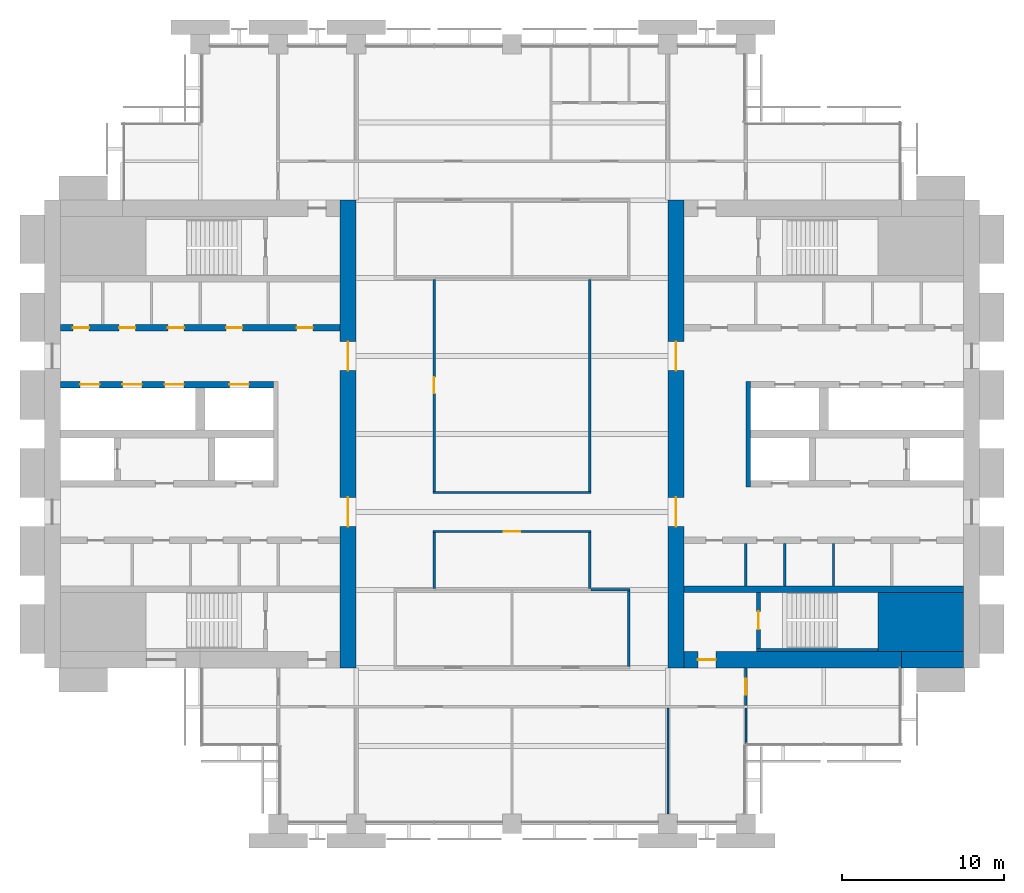
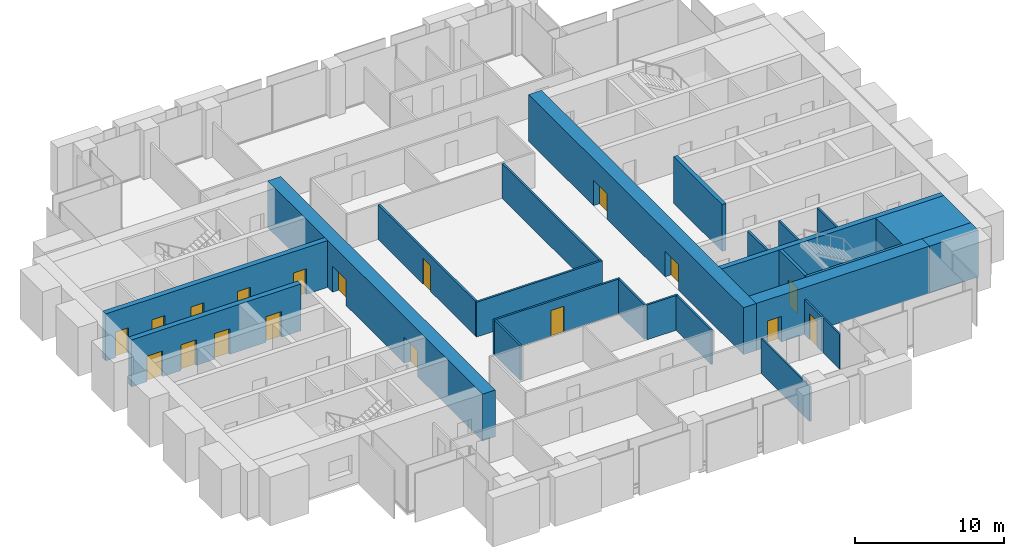
# One storey, part 10 of 14: 25 walls, 18 doors, 18 openings.
"""IFC4 building model written with IfcOpenShell, lengths in metres."""

from ifc_helpers import new_model, si_unit, direction, frame, frame_2d, origin, place, context, subcontext, project, spatial, rectangle, extrude, material, layer, layer_set, type_object, element, fill, save


model = new_model("IFC4")

# Units and contexts
model_context = context("Model", 3, precision=1e-05, world=origin(), true_north=direction((0.0, 1.0)))
body_context = subcontext(model_context, "Body", "Model", "MODEL_VIEW")
ifc_project = project(units=[si_unit("LENGTHUNIT", "METRE"), si_unit("AREAUNIT", "SQUARE_METRE"), si_unit("VOLUMEUNIT", "CUBIC_METRE"), si_unit("PLANEANGLEUNIT", "RADIAN"), si_unit("MASSUNIT", "GRAM", prefix="KILO")], contexts=[model_context])

# Site, building, storey
site_placement = place(None, origin())
site = spatial("IfcSite", under=ifc_project, at=site_placement, CompositionType="ELEMENT")
building_placement = place(site_placement, origin())
building = spatial("IfcBuilding", under=site, at=building_placement, Name="Baori Bourse Tower", CompositionType="ELEMENT")
storey_placement = place(building_placement, frame((0.0, 0.0, 112.10009765625)))
storey = spatial("IfcBuildingStorey", under=building, at=storey_placement, Name="L23", CompositionType="ELEMENT", Elevation=112.10009765625)

# Walls
ifc_material_1 = material(Name="Concrete f'c 60 MPa", Category="concrete")
wall_type_1 = type_object("IfcWallType", Name="Core corner block f'c 60", PredefinedType="SHEAR", material=ifc_material_1)
wall_1_placement = place(storey_placement, frame((51.35009765625, 12.425048828125, 0.0), z_axis=(0.0, 0.0, 1.0), x_axis=(1.0, 0.0, 0.0)))
element("IfcWall", 1, at=wall_1_placement, inside=storey, type_object=wall_type_1, Name="Core wall E05", PredefinedType="SHEAR", context=body_context, shape_type="SweptSolid", body=[
    extrude(rectangle(XDim=5.25, YDim=3.64990234375, at=frame_2d((2.625, 0.0))), origin(), (0.0, 0.0, 1.0), 3.83984375),
])
ifc_material_2 = material(Name="Blockwork partition", Category="masonry")
ifc_layer_1 = layer(ifc_material_2, 0.14990234375)
ifc_layer_set_1 = layer_set([ifc_layer_1], Name="Core partition 150")
wall_type_2 = type_object("IfcWallType", Name="Core partition 150", PredefinedType="PARTITIONING", material=ifc_layer_set_1)
for number, where, z_axis, x_axis, name in (
    (2, (48.60009765625, 14.64990234375, 0.0), (0.0, 0.0, 1.0), (0.0, 1.0, 0.0), "Partition wall E10"),
    (3, (45.60009765625, 14.64990234375, 0.0), (0.0, 0.0, 1.0), (0.0, 1.0, 0.0), "Partition wall E11"),
    (4, (43.199951171875, 14.64990234375, 0.0), (0.0, 0.0, 1.0), (0.0, 1.0, 0.0), "Partition wall E12"),
):
    element("IfcWall", number, at=place(storey_placement, frame(where, z_axis=z_axis, x_axis=x_axis)), inside=storey, type_object=wall_type_2, Name=name, PredefinedType="PARTITIONING", context=body_context, shape_type="SweptSolid", body=[
        extrude(rectangle(XDim=2.60009765625, YDim=0.14990234375, at=frame_2d((1.300048828125, 0.0))), origin(), (0.0, 0.0, 1.0), 3.83984375),
    ])

# Wall, openings, doors
ifc_material_3 = material(Name="Concrete f'c 60 MPa", Category="concrete")
ifc_layer_2 = layer(ifc_material_3, 1.0)
ifc_layer_set_2 = layer_set([ifc_layer_2], Name="Core wall 1000 f'c 60")
wall_type_3 = type_object("IfcWallType", Name="Core wall 1000 f'c 60", PredefinedType="SHEAR", material=ifc_layer_set_2)
wall_2_placement = place(storey_placement, frame((18.699951171875, 38.39990234375, 0.0), z_axis=(0.0, 0.0, 1.0), x_axis=(0.0, -1.0, 0.0)))
wall_2 = element("IfcWall", 5, at=wall_2_placement, inside=storey, type_object=wall_type_3, Name="Core wall W04", PredefinedType="SHEAR", context=body_context, shape_type="SweptSolid", body=[
    extrude(rectangle(XDim=28.7998046875, YDim=1.0, at=frame_2d((14.39990234375, 0.0))), origin(), (0.0, 0.0, 1.0), 3.83984375),
])
opening_1_placement = place(wall_2_placement, frame((18.300048828125, 0.0, 0.0)))
opening_1 = element("IfcOpeningElement", 6, at=opening_1_placement, cuts=wall_2, Name="Opening L23-D107", PredefinedType="OPENING", context=body_context, shape_type="SweptSolid", body=[
    extrude(rectangle(XDim=1.800048828125, YDim=2.10009765625, at=frame_2d((0.89990234375, 1.050048828125))), frame((0.0, 0.510009765625, 0.0), z_axis=(0.0, -1.0, 0.0), x_axis=(1.0, 0.0, 0.0)), (0.0, 0.0, 1.0), 1.02001953125),
])
opening_2_placement = place(wall_2_placement, frame((8.699951171875, 0.0, 0.0)))
opening_2 = element("IfcOpeningElement", 7, at=opening_2_placement, cuts=wall_2, Name="Opening L23-D108", PredefinedType="OPENING", context=body_context, shape_type="SweptSolid", body=[
    extrude(rectangle(XDim=1.800048828125, YDim=2.10009765625, at=frame_2d((0.89990234375, 1.050048828125))), frame((0.0, 0.510009765625, 0.0), z_axis=(0.0, -1.0, 0.0), x_axis=(1.0, 0.0, 0.0)), (0.0, 0.0, 1.0), 1.02001953125),
])
ifc_material_4 = material(Name="Painted steel door", Category="steel")
door_type_1 = type_object("IfcDoorType", Name="Core lobby door 1800", OperationType="DOUBLE_DOOR_SINGLE_SWING", PredefinedType="DOOR", material=ifc_material_4)
door_1_placement = place(opening_1_placement, origin())
door_1 = element("IfcDoor", 8, at=door_1_placement, inside=storey, type_object=door_type_1, Name="Lobby door W L23", OperationType="DOUBLE_DOOR_SINGLE_SWING", OverallHeight=2.10009765625, OverallWidth=1.800048828125, PredefinedType="DOOR", context=body_context, shape_type="SweptSolid", body=[
    extrude(rectangle(XDim=1.800048828125, YDim=2.10009765625, at=frame_2d((0.89990234375, 1.050048828125))), frame((0.0, 0.02490234375, 0.0), z_axis=(0.0, -1.0, 0.0), x_axis=(1.0, 0.0, 0.0)), (0.0, 0.0, 1.0), 0.050048828125),
])
fill(opening_1, door_1)
door_2_placement = place(opening_2_placement, origin())
door_2 = element("IfcDoor", 9, at=door_2_placement, inside=storey, type_object=door_type_1, Name="Lobby door W L23", OperationType="DOUBLE_DOOR_SINGLE_SWING", OverallHeight=2.10009765625, OverallWidth=1.800048828125, PredefinedType="DOOR", context=body_context, shape_type="SweptSolid", body=[
    extrude(rectangle(XDim=1.800048828125, YDim=2.10009765625, at=frame_2d((0.89990234375, 1.050048828125))), frame((0.0, 0.02490234375, 0.0), z_axis=(0.0, -1.0, 0.0), x_axis=(1.0, 0.0, 0.0)), (0.0, 0.0, 1.0), 0.050048828125),
])
fill(opening_2, door_2)

# Wall
wall_3_placement = place(storey_placement, frame((56.60009765625, 10.10009765625, 0.0), z_axis=(0.0, 0.0, 1.0), x_axis=(-1.0, 0.0, 0.0)))
element("IfcWall", 10, at=wall_3_placement, inside=storey, type_object=wall_type_3, Name="Core wall E02", PredefinedType="SHEAR", context=body_context, shape_type="SweptSolid", body=[
    extrude(rectangle(XDim=3.800048828125, YDim=1.0, at=frame_2d((1.89990234375, 0.0))), origin(), (0.0, 0.0, 1.0), 3.83984375),
])

# Wall, opening, door
wall_4_placement = place(storey_placement, frame((52.800048828125, 10.10009765625, 0.0), z_axis=(0.0, 0.0, 1.0), x_axis=(-1.0, 0.0, 0.0)))
wall_4 = element("IfcWall", 11, at=wall_4_placement, inside=storey, type_object=wall_type_3, Name="Core wall E03", PredefinedType="SHEAR", context=body_context, shape_type="SweptSolid", body=[
    extrude(rectangle(XDim=13.400146484375, YDim=1.0, at=frame_2d((6.7001953125, 0.0))), origin(), (0.0, 0.0, 1.0), 3.83984375),
])
opening_3_placement = place(wall_4_placement, frame((11.449951171875, 0.0, 0.0)))
opening_3 = element("IfcOpeningElement", 12, at=opening_3_placement, cuts=wall_4, Name="Opening L23-D202", PredefinedType="OPENING", context=body_context, shape_type="SweptSolid", body=[
    extrude(rectangle(XDim=1.10009765625, YDim=2.10009765625, at=frame_2d((0.550048828125, 1.050048828125))), frame((0.0, 0.510009765625, 0.0), z_axis=(0.0, -1.0, 0.0), x_axis=(1.0, 0.0, 0.0)), (0.0, 0.0, 1.0), 1.02001953125),
])
ifc_material_5 = material(Name="Painted steel door", Category="steel")
door_type_2 = type_object("IfcDoorType", Name="Stair door 1100", OperationType="SINGLE_SWING_LEFT", PredefinedType="DOOR", material=ifc_material_5)
door_3_placement = place(opening_3_placement, origin())
door_3 = element("IfcDoor", 13, at=door_3_placement, inside=storey, type_object=door_type_2, Name="Stair vestibule door A E L23", OperationType="SINGLE_SWING_LEFT", OverallHeight=2.10009765625, OverallWidth=1.10009765625, PredefinedType="DOOR", context=body_context, shape_type="SweptSolid", body=[
    extrude(rectangle(XDim=1.10009765625, YDim=2.10009765625, at=frame_2d((0.550048828125, 1.050048828125))), frame((0.0, 0.02490234375, 0.0), z_axis=(0.0, -1.0, 0.0), x_axis=(1.0, 0.0, 0.0)), (0.0, 0.0, 1.0), 0.050048828125),
])
fill(opening_3, door_3)

# Wall, openings, doors
wall_5_placement = place(storey_placement, frame((38.89990234375, 9.60009765625, 0.0), z_axis=(0.0, 0.0, 1.0), x_axis=(0.0, 1.0, 0.0)))
wall_5 = element("IfcWall", 14, at=wall_5_placement, inside=storey, type_object=wall_type_3, Name="Core wall E04", PredefinedType="SHEAR", context=body_context, shape_type="SweptSolid", body=[
    extrude(rectangle(XDim=28.7998046875, YDim=1.0, at=frame_2d((14.39990234375, 0.0))), origin(), (0.0, 0.0, 1.0), 3.83984375),
])
opening_4_placement = place(wall_5_placement, frame((8.699951171875, 0.0, 0.0)))
opening_4 = element("IfcOpeningElement", 15, at=opening_4_placement, cuts=wall_5, Name="Opening L23-D207", PredefinedType="OPENING", context=body_context, shape_type="SweptSolid", body=[
    extrude(rectangle(XDim=1.800048828125, YDim=2.10009765625, at=frame_2d((0.89990234375, 1.050048828125))), frame((0.0, 0.510009765625, 0.0), z_axis=(0.0, -1.0, 0.0), x_axis=(1.0, 0.0, 0.0)), (0.0, 0.0, 1.0), 1.02001953125),
])
opening_5_placement = place(wall_5_placement, frame((18.300048828125, 0.0, 0.0)))
opening_5 = element("IfcOpeningElement", 16, at=opening_5_placement, cuts=wall_5, Name="Opening L23-D208", PredefinedType="OPENING", context=body_context, shape_type="SweptSolid", body=[
    extrude(rectangle(XDim=1.800048828125, YDim=2.10009765625, at=frame_2d((0.89990234375, 1.050048828125))), frame((0.0, 0.510009765625, 0.0), z_axis=(0.0, -1.0, 0.0), x_axis=(1.0, 0.0, 0.0)), (0.0, 0.0, 1.0), 1.02001953125),
])
door_4_placement = place(opening_4_placement, origin())
door_4 = element("IfcDoor", 17, at=door_4_placement, inside=storey, type_object=door_type_1, Name="Lobby door E L23", OperationType="DOUBLE_DOOR_SINGLE_SWING", OverallHeight=2.10009765625, OverallWidth=1.800048828125, PredefinedType="DOOR", context=body_context, shape_type="SweptSolid", body=[
    extrude(rectangle(XDim=1.800048828125, YDim=2.10009765625, at=frame_2d((0.89990234375, 1.050048828125))), frame((0.0, 0.02490234375, 0.0), z_axis=(0.0, -1.0, 0.0), x_axis=(1.0, 0.0, 0.0)), (0.0, 0.0, 1.0), 0.050048828125),
])
fill(opening_4, door_4)
door_5_placement = place(opening_5_placement, origin())
door_5 = element("IfcDoor", 18, at=door_5_placement, inside=storey, type_object=door_type_1, Name="Lobby door E L23", OperationType="DOUBLE_DOOR_SINGLE_SWING", OverallHeight=2.10009765625, OverallWidth=1.800048828125, PredefinedType="DOOR", context=body_context, shape_type="SweptSolid", body=[
    extrude(rectangle(XDim=1.800048828125, YDim=2.10009765625, at=frame_2d((0.89990234375, 1.050048828125))), frame((0.0, 0.02490234375, 0.0), z_axis=(0.0, -1.0, 0.0), x_axis=(1.0, 0.0, 0.0)), (0.0, 0.0, 1.0), 0.050048828125),
])
fill(opening_5, door_5)

# Wall
ifc_material_6 = material(Name="Gypsum board partition")
ifc_layer_3 = layer(ifc_material_6, 0.14990234375)
ifc_layer_set_3 = layer_set([ifc_layer_3], Name="Corridor partition 150")
wall_type_4 = type_object("IfcWallType", Name="Corridor partition 150", PredefinedType="PARTITIONING", material=ifc_layer_set_3)
wall_6_placement = place(storey_placement, frame((33.675048828125, 14.39990234375, 0.0), z_axis=(0.0, 0.0, 1.0), x_axis=(1.0, 0.0, 0.0)))
element("IfcWall", 19, at=wall_6_placement, inside=storey, type_object=wall_type_4, Name="Partition", PredefinedType="PARTITIONING", context=body_context, shape_type="SweptSolid", body=[
    extrude(rectangle(XDim=2.39990234375, YDim=0.14990234375, at=frame_2d((1.199951171875, 0.0))), origin(), (0.0, 0.0, 1.0), 2.849365234375),
])

# Wall, opening, door
wall_7_placement = place(storey_placement, frame((23.925048828125, 18.0, 0.0), z_axis=(0.0, 0.0, 1.0), x_axis=(1.0, 0.0, 0.0)))
wall_7 = element("IfcWall", 20, at=wall_7_placement, inside=storey, type_object=wall_type_4, Name="Partition", PredefinedType="PARTITIONING", context=body_context, shape_type="SweptSolid", body=[
    extrude(rectangle(XDim=9.75, YDim=0.14990234375, at=frame_2d((4.875, 0.0))), origin(), (0.0, 0.0, 1.0), 2.849365234375),
])
opening_6_placement = place(wall_7_placement, frame((4.375, 0.0, 0.0)))
opening_6 = element("IfcOpeningElement", 21, at=opening_6_placement, cuts=wall_7, Name="Opening L23-D07", PredefinedType="OPENING", context=body_context, shape_type="SweptSolid", body=[
    extrude(rectangle(XDim=1.0, YDim=2.10009765625, at=frame_2d((0.5, 1.050048828125))), frame((0.0, 0.0849609375, 0.0), z_axis=(0.0, -1.0, 0.0), x_axis=(1.0, 0.0, 0.0)), (0.0, 0.0, 1.0), 0.169921875),
])
ifc_material_7 = material(Name="Timber door leaf", Category="wood")
door_type_3 = type_object("IfcDoorType", Name="Door 1000 x 2100", OperationType="SINGLE_SWING_LEFT", PredefinedType="DOOR", material=ifc_material_7)
door_6_placement = place(opening_6_placement, origin())
door_6 = element("IfcDoor", 22, at=door_6_placement, inside=storey, type_object=door_type_3, Name="Door", OperationType="SINGLE_SWING_RIGHT", OverallHeight=2.10009765625, OverallWidth=1.0, PredefinedType="DOOR", context=body_context, shape_type="SweptSolid", body=[
    extrude(rectangle(XDim=1.0, YDim=2.10009765625, at=frame_2d((0.5, 1.050048828125))), frame((0.0, 0.02490234375, 0.0), z_axis=(0.0, -1.0, 0.0), x_axis=(1.0, 0.0, 0.0)), (0.0, 0.0, 1.0), 0.050048828125),
])
fill(opening_6, door_6)

# Walls
wall_8_placement = place(storey_placement, frame((23.925048828125, 20.39990234375, 0.0), z_axis=(0.0, 0.0, 1.0), x_axis=(1.0, 0.0, 0.0)))
element("IfcWall", 23, at=wall_8_placement, inside=storey, type_object=wall_type_4, Name="Partition", PredefinedType="PARTITIONING", context=body_context, shape_type="SweptSolid", body=[
    extrude(rectangle(XDim=9.75, YDim=0.14990234375, at=frame_2d((4.875, 0.0))), origin(), (0.0, 0.0, 1.0), 2.849365234375),
])
wall_9_placement = place(storey_placement, frame((24.0, 14.47509765625, 0.0), z_axis=(0.0, 0.0, 1.0), x_axis=(0.0, 1.0, 0.0)))
element("IfcWall", 24, at=wall_9_placement, inside=storey, type_object=wall_type_4, Name="Partition", PredefinedType="PARTITIONING", context=body_context, shape_type="SweptSolid", body=[
    extrude(rectangle(XDim=3.449951171875, YDim=0.14990234375, at=frame_2d((1.72509765625, 0.0))), origin(), (0.0, 0.0, 1.0), 2.849365234375),
])

# Wall, opening, door
wall_10_placement = place(storey_placement, frame((24.0, 20.47509765625, 0.0), z_axis=(0.0, 0.0, 1.0), x_axis=(0.0, 1.0, 0.0)))
wall_10 = element("IfcWall", 25, at=wall_10_placement, inside=storey, type_object=wall_type_4, Name="Partition", PredefinedType="PARTITIONING", context=body_context, shape_type="SweptSolid", body=[
    extrude(rectangle(XDim=13.0498046875, YDim=0.14990234375, at=frame_2d((6.52490234375, 0.0))), origin(), (0.0, 0.0, 1.0), 2.849365234375),
])
opening_7_placement = place(wall_10_placement, frame((6.02490234375, 0.0, 0.0)))
opening_7 = element("IfcOpeningElement", 26, at=opening_7_placement, cuts=wall_10, Name="Opening L23-D19", PredefinedType="OPENING", context=body_context, shape_type="SweptSolid", body=[
    extrude(rectangle(XDim=1.0, YDim=2.10009765625, at=frame_2d((0.5, 1.050048828125))), frame((0.0, 0.0849609375, 0.0), z_axis=(0.0, -1.0, 0.0), x_axis=(1.0, 0.0, 0.0)), (0.0, 0.0, 1.0), 0.169921875),
])
door_7_placement = place(opening_7_placement, origin())
door_7 = element("IfcDoor", 27, at=door_7_placement, inside=storey, type_object=door_type_3, Name="Door", OperationType="SINGLE_SWING_LEFT", OverallHeight=2.10009765625, OverallWidth=1.0, PredefinedType="DOOR", context=body_context, shape_type="SweptSolid", body=[
    extrude(rectangle(XDim=1.0, YDim=2.10009765625, at=frame_2d((0.5, 1.050048828125))), frame((0.0, 0.02490234375, 0.0), z_axis=(0.0, -1.0, 0.0), x_axis=(1.0, 0.0, 0.0)), (0.0, 0.0, 1.0), 0.050048828125),
])
fill(opening_7, door_7)

# Walls
wall_11_placement = place(storey_placement, frame((33.60009765625, 14.47509765625, 0.0), z_axis=(0.0, 0.0, 1.0), x_axis=(0.0, 1.0, 0.0)))
element("IfcWall", 28, at=wall_11_placement, inside=storey, type_object=wall_type_4, Name="Partition", PredefinedType="PARTITIONING", context=body_context, shape_type="SweptSolid", body=[
    extrude(rectangle(XDim=3.449951171875, YDim=0.14990234375, at=frame_2d((1.72509765625, 0.0))), origin(), (0.0, 0.0, 1.0), 2.849365234375),
])
wall_12_placement = place(storey_placement, frame((33.60009765625, 20.47509765625, 0.0), z_axis=(0.0, 0.0, 1.0), x_axis=(0.0, 1.0, 0.0)))
element("IfcWall", 29, at=wall_12_placement, inside=storey, type_object=wall_type_4, Name="Partition", PredefinedType="PARTITIONING", context=body_context, shape_type="SweptSolid", body=[
    extrude(rectangle(XDim=13.0498046875, YDim=0.14990234375, at=frame_2d((6.52490234375, 0.0))), origin(), (0.0, 0.0, 1.0), 2.849365234375),
])
wall_13_placement = place(storey_placement, frame((36.0, 9.675048828125, 0.0), z_axis=(0.0, 0.0, 1.0), x_axis=(0.0, 1.0, 0.0)))
element("IfcWall", 30, at=wall_13_placement, inside=storey, type_object=wall_type_4, Name="Partition", PredefinedType="PARTITIONING", context=body_context, shape_type="SweptSolid", body=[
    extrude(rectangle(XDim=4.64990234375, YDim=0.14990234375, at=frame_2d((2.324951171875, 0.0))), origin(), (0.0, 0.0, 1.0), 2.849365234375),
])

# Wall, opening, door
wall_14_placement = place(storey_placement, frame((43.199951171875, 7.27490234375, 0.0), z_axis=(0.0, 0.0, 1.0), x_axis=(0.0, 1.0, 0.0)))
wall_14 = element("IfcWall", 31, at=wall_14_placement, inside=storey, type_object=wall_type_4, Name="Partition", PredefinedType="PARTITIONING", context=body_context, shape_type="SweptSolid", body=[
    extrude(rectangle(XDim=2.3251953125, YDim=0.14990234375, at=frame_2d((1.16259765625, 0.0))), origin(), (0.0, 0.0, 1.0), 2.849365234375),
])
opening_8_placement = place(wall_14_placement, frame((0.66259765625, 0.0, 0.0)))
opening_8 = element("IfcOpeningElement", 32, at=opening_8_placement, cuts=wall_14, Name="Opening L23-D20", PredefinedType="OPENING", context=body_context, shape_type="SweptSolid", body=[
    extrude(rectangle(XDim=1.0, YDim=2.10009765625, at=frame_2d((0.5, 1.050048828125))), frame((0.0, 0.0849609375, 0.0), z_axis=(0.0, -1.0, 0.0), x_axis=(1.0, 0.0, 0.0)), (0.0, 0.0, 1.0), 0.169921875),
])
door_8_placement = place(opening_8_placement, origin())
door_8 = element("IfcDoor", 33, at=door_8_placement, inside=storey, type_object=door_type_3, Name="Door", OperationType="SINGLE_SWING_LEFT", OverallHeight=2.10009765625, OverallWidth=1.0, PredefinedType="DOOR", context=body_context, shape_type="SweptSolid", body=[
    extrude(rectangle(XDim=1.0, YDim=2.10009765625, at=frame_2d((0.5, 1.050048828125))), frame((0.0, 0.02490234375, 0.0), z_axis=(0.0, -1.0, 0.0), x_axis=(1.0, 0.0, 0.0)), (0.0, 0.0, 1.0), 0.050048828125),
])
fill(opening_8, door_8)

# Walls
ifc_material_8 = material(Name="Gypsum board partition")
ifc_layer_4 = layer(ifc_material_8, 0.125)
ifc_layer_set_4 = layer_set([ifc_layer_4], Name="Partition 125")
wall_type_5 = type_object("IfcWallType", Name="Partition 125", PredefinedType="PARTITIONING", material=ifc_layer_set_4)
wall_15_placement = place(storey_placement, frame((38.39990234375, 0.60009765625, 0.0), z_axis=(0.0, 0.0, 1.0), x_axis=(0.0, 1.0, 0.0)))
element("IfcWall", 34, at=wall_15_placement, inside=storey, type_object=wall_type_5, Name="Partition", PredefinedType="PARTITIONING", context=body_context, shape_type="SweptSolid", body=[
    extrude(rectangle(XDim=6.52490234375, YDim=0.125, at=frame_2d((3.262451171875, 0.0))), origin(), (0.0, 0.0, 1.0), 2.849365234375),
])
wall_16_placement = place(storey_placement, frame((43.199951171875, 4.89990234375, 0.0), z_axis=(0.0, 0.0, 1.0), x_axis=(0.0, 1.0, 0.0)))
element("IfcWall", 35, at=wall_16_placement, inside=storey, type_object=wall_type_5, Name="Partition", PredefinedType="PARTITIONING", context=body_context, shape_type="SweptSolid", body=[
    extrude(rectangle(XDim=2.22509765625, YDim=0.125, at=frame_2d((1.112548828125, 0.0))), origin(), (0.0, 0.0, 1.0), 2.849365234375),
])
ifc_material_9 = material(Name="Concrete f'c 60 MPa", Category="concrete")
ifc_layer_5 = layer(ifc_material_9, 0.199951171875)
ifc_layer_set_5 = layer_set([ifc_layer_5], Name="Shaft wall 200 f'c 60")
wall_type_6 = type_object("IfcWallType", Name="Shaft wall 200 f'c 60", PredefinedType="SHEAR", material=ifc_layer_set_5)
wall_17_placement = place(storey_placement, frame((43.85009765625, 10.699951171875, 0.0), z_axis=(0.0, 0.0, 1.0), x_axis=(1.0, 0.0, 0.0)))
element("IfcWall", 36, at=wall_17_placement, inside=storey, type_object=wall_type_6, Name="Core wall E06", PredefinedType="SHEAR", context=body_context, shape_type="SweptSolid", body=[
    extrude(rectangle(XDim=7.5, YDim=0.199951171875, at=frame_2d((3.75, 0.0))), origin(), (0.0, 0.0, 1.0), 3.83984375),
])

# Wall, opening, door
ifc_material_10 = material(Name="Concrete f'c 60 MPa", Category="concrete")
ifc_layer_6 = layer(ifc_material_10, 0.25)
ifc_layer_set_6 = layer_set([ifc_layer_6], Name="Shaft wall 250 f'c 60")
wall_type_7 = type_object("IfcWallType", Name="Shaft wall 250 f'c 60", PredefinedType="SHEAR", material=ifc_layer_set_6)
wall_18_placement = place(storey_placement, frame((43.97509765625, 10.800048828125, 0.0), z_axis=(0.0, 0.0, 1.0), x_axis=(0.0, 1.0, 0.0)))
wall_18 = element("IfcWall", 37, at=wall_18_placement, inside=storey, type_object=wall_type_7, Name="Core wall E07", PredefinedType="SHEAR", context=body_context, shape_type="SweptSolid", body=[
    extrude(rectangle(XDim=3.449951171875, YDim=0.25, at=frame_2d((1.72509765625, 0.0))), origin(), (0.0, 0.0, 1.0), 3.83984375),
])
opening_9_placement = place(wall_18_placement, frame((1.175048828125, 0.0, 0.0)))
opening_9 = element("IfcOpeningElement", 38, at=opening_9_placement, cuts=wall_18, Name="Opening L23-D201", PredefinedType="OPENING", context=body_context, shape_type="SweptSolid", body=[
    extrude(rectangle(XDim=1.10009765625, YDim=2.10009765625, at=frame_2d((0.550048828125, 1.050048828125))), frame((0.0, 0.135009765625, 0.0), z_axis=(0.0, -1.0, 0.0), x_axis=(1.0, 0.0, 0.0)), (0.0, 0.0, 1.0), 0.27001953125),
])
door_9_placement = place(opening_9_placement, origin())
door_9 = element("IfcDoor", 39, at=door_9_placement, inside=storey, type_object=door_type_2, Name="Stair door A E L23", OperationType="SINGLE_SWING_LEFT", OverallHeight=2.10009765625, OverallWidth=1.10009765625, PredefinedType="DOOR", context=body_context, shape_type="SweptSolid", body=[
    extrude(rectangle(XDim=1.10009765625, YDim=2.10009765625, at=frame_2d((0.550048828125, 1.050048828125))), frame((0.0, 0.02490234375, 0.0), z_axis=(0.0, -1.0, 0.0), x_axis=(1.0, 0.0, 0.0)), (0.0, 0.0, 1.0), 0.050048828125),
])
fill(opening_9, door_9)

# Wall
ifc_material_11 = material(Name="Concrete f'c 60 MPa", Category="concrete")
ifc_layer_7 = layer(ifc_material_11, 0.300048828125)
ifc_layer_set_7 = layer_set([ifc_layer_7], Name="Shaft wall 300 f'c 60")
wall_type_8 = type_object("IfcWallType", Name="Shaft wall 300 f'c 60", PredefinedType="SHEAR", material=ifc_layer_set_7)
wall_19_placement = place(storey_placement, frame((43.35009765625, 20.75, 0.0), z_axis=(0.0, 0.0, 1.0), x_axis=(0.0, 1.0, 0.0)))
element("IfcWall", 40, at=wall_19_placement, inside=storey, type_object=wall_type_8, Name="Core wall E15", PredefinedType="SHEAR", context=body_context, shape_type="SweptSolid", body=[
    extrude(rectangle(XDim=6.5, YDim=0.300048828125, at=frame_2d((3.25, 0.0))), origin(), (0.0, 0.0, 1.0), 3.83984375),
])

# Wall, openings, doors
ifc_material_12 = material(Name="Concrete f'c 60 MPa", Category="concrete")
ifc_layer_8 = layer(ifc_material_12, 0.39990234375)
ifc_layer_set_8 = layer_set([ifc_layer_8], Name="Shaft wall 400 f'c 60")
wall_type_9 = type_object("IfcWallType", Name="Shaft wall 400 f'c 60", PredefinedType="SHEAR", material=ifc_layer_set_8)
wall_20_placement = place(storey_placement, frame((1.0, 27.050048828125, 0.0), z_axis=(0.0, 0.0, 1.0), x_axis=(1.0, 0.0, 0.0)))
wall_20 = element("IfcWall", 41, at=wall_20_placement, inside=storey, type_object=wall_type_9, Name="Core wall W21", PredefinedType="SHEAR", context=body_context, shape_type="SweptSolid", body=[
    extrude(rectangle(XDim=13.10009765625, YDim=0.39990234375, at=frame_2d((6.550048828125, 0.0))), origin(), (0.0, 0.0, 1.0), 3.83984375),
])
opening_10_placement = place(wall_20_placement, frame((1.199951171875, 0.0, 0.0)))
opening_10 = element("IfcOpeningElement", 42, at=opening_10_placement, cuts=wall_20, Name="Opening L23-D119", PredefinedType="OPENING", context=body_context, shape_type="SweptSolid", body=[
    extrude(rectangle(XDim=1.199951171875, YDim=2.10009765625, at=frame_2d((0.60009765625, 1.050048828125))), frame((0.0, 0.2099609375, 0.0), z_axis=(0.0, -1.0, 0.0), x_axis=(1.0, 0.0, 0.0)), (0.0, 0.0, 1.0), 0.419921875),
])
opening_11_placement = place(wall_20_placement, frame((3.800048828125, 0.0, 0.0)))
opening_11 = element("IfcOpeningElement", 43, at=opening_11_placement, cuts=wall_20, Name="Opening L23-D120", PredefinedType="OPENING", context=body_context, shape_type="SweptSolid", body=[
    extrude(rectangle(XDim=1.199951171875, YDim=2.10009765625, at=frame_2d((0.60009765625, 1.050048828125))), frame((0.0, 0.2099609375, 0.0), z_axis=(0.0, -1.0, 0.0), x_axis=(1.0, 0.0, 0.0)), (0.0, 0.0, 1.0), 0.419921875),
])
opening_12_placement = place(wall_20_placement, frame((6.39990234375, 0.0, 0.0)))
opening_12 = element("IfcOpeningElement", 44, at=opening_12_placement, cuts=wall_20, Name="Opening L23-D121", PredefinedType="OPENING", context=body_context, shape_type="SweptSolid", body=[
    extrude(rectangle(XDim=1.199951171875, YDim=2.10009765625, at=frame_2d((0.60009765625, 1.050048828125))), frame((0.0, 0.2099609375, 0.0), z_axis=(0.0, -1.0, 0.0), x_axis=(1.0, 0.0, 0.0)), (0.0, 0.0, 1.0), 0.419921875),
])
opening_13_placement = place(wall_20_placement, frame((10.39990234375, 0.0, 0.0)))
opening_13 = element("IfcOpeningElement", 45, at=opening_13_placement, cuts=wall_20, Name="Opening L23-D122", PredefinedType="OPENING", context=body_context, shape_type="SweptSolid", body=[
    extrude(rectangle(XDim=1.199951171875, YDim=2.10009765625, at=frame_2d((0.60009765625, 1.050048828125))), frame((0.0, 0.2099609375, 0.0), z_axis=(0.0, -1.0, 0.0), x_axis=(1.0, 0.0, 0.0)), (0.0, 0.0, 1.0), 0.419921875),
])
ifc_material_13 = material(Name="Stainless steel door", Category="steel")
door_type_4 = type_object("IfcDoorType", Name="Lift landing door", OperationType="DOUBLE_DOOR_SLIDING", PredefinedType="DOOR", material=ifc_material_13)
door_10_placement = place(opening_10_placement, origin())
door_10 = element("IfcDoor", 46, at=door_10_placement, inside=storey, type_object=door_type_4, Name="Lift landing door SH1 W L23", OperationType="DOUBLE_DOOR_SLIDING", OverallHeight=2.10009765625, OverallWidth=1.199951171875, PredefinedType="DOOR", context=body_context, shape_type="SweptSolid", body=[
    extrude(rectangle(XDim=1.199951171875, YDim=2.10009765625, at=frame_2d((0.60009765625, 1.050048828125))), frame((0.0, 0.02490234375, 0.0), z_axis=(0.0, -1.0, 0.0), x_axis=(1.0, 0.0, 0.0)), (0.0, 0.0, 1.0), 0.050048828125),
])
fill(opening_10, door_10)
door_11_placement = place(opening_11_placement, origin())
door_11 = element("IfcDoor", 47, at=door_11_placement, inside=storey, type_object=door_type_4, Name="Lift landing door SH2 W L23", OperationType="DOUBLE_DOOR_SLIDING", OverallHeight=2.10009765625, OverallWidth=1.199951171875, PredefinedType="DOOR", context=body_context, shape_type="SweptSolid", body=[
    extrude(rectangle(XDim=1.199951171875, YDim=2.10009765625, at=frame_2d((0.60009765625, 1.050048828125))), frame((0.0, 0.02490234375, 0.0), z_axis=(0.0, -1.0, 0.0), x_axis=(1.0, 0.0, 0.0)), (0.0, 0.0, 1.0), 0.050048828125),
])
fill(opening_11, door_11)
door_12_placement = place(opening_12_placement, origin())
door_12 = element("IfcDoor", 48, at=door_12_placement, inside=storey, type_object=door_type_4, Name="Lift landing door SH3 W L23", OperationType="DOUBLE_DOOR_SLIDING", OverallHeight=2.10009765625, OverallWidth=1.199951171875, PredefinedType="DOOR", context=body_context, shape_type="SweptSolid", body=[
    extrude(rectangle(XDim=1.199951171875, YDim=2.10009765625, at=frame_2d((0.60009765625, 1.050048828125))), frame((0.0, 0.02490234375, 0.0), z_axis=(0.0, -1.0, 0.0), x_axis=(1.0, 0.0, 0.0)), (0.0, 0.0, 1.0), 0.050048828125),
])
fill(opening_12, door_12)
door_13_placement = place(opening_13_placement, origin())
door_13 = element("IfcDoor", 49, at=door_13_placement, inside=storey, type_object=door_type_4, Name="Lift landing door SV1 W L23", OperationType="DOUBLE_DOOR_SLIDING", OverallHeight=2.10009765625, OverallWidth=1.199951171875, PredefinedType="DOOR", context=body_context, shape_type="SweptSolid", body=[
    extrude(rectangle(XDim=1.199951171875, YDim=2.10009765625, at=frame_2d((0.60009765625, 1.050048828125))), frame((0.0, 0.02490234375, 0.0), z_axis=(0.0, -1.0, 0.0), x_axis=(1.0, 0.0, 0.0)), (0.0, 0.0, 1.0), 0.050048828125),
])
fill(opening_13, door_13)

wall_21_placement = place(storey_placement, frame((1.0, 30.550048828125, 0.0), z_axis=(0.0, 0.0, 1.0), x_axis=(1.0, 0.0, 0.0)))
wall_21 = element("IfcWall", 50, at=wall_21_placement, inside=storey, type_object=wall_type_9, Name="Core wall W22", PredefinedType="SHEAR", context=body_context, shape_type="SweptSolid", body=[
    extrude(rectangle(XDim=17.199951171875, YDim=0.39990234375, at=frame_2d((8.60009765625, 0.0))), origin(), (0.0, 0.0, 1.0), 3.83984375),
])
opening_14_placement = place(wall_21_placement, frame((0.762451171875, 0.0, 0.0)))
opening_14 = element("IfcOpeningElement", 51, at=opening_14_placement, cuts=wall_21, Name="Opening L23-D109", PredefinedType="OPENING", context=body_context, shape_type="SweptSolid", body=[
    extrude(rectangle(XDim=1.0, YDim=2.10009765625, at=frame_2d((0.5, 1.050048828125))), frame((0.0, 0.2099609375, 0.0), z_axis=(0.0, -1.0, 0.0), x_axis=(1.0, 0.0, 0.0)), (0.0, 0.0, 1.0), 0.419921875),
])
opening_15_placement = place(wall_21_placement, frame((3.60009765625, 0.0, 0.0)))
opening_15 = element("IfcOpeningElement", 52, at=opening_15_placement, cuts=wall_21, Name="Opening L23-D110", PredefinedType="OPENING", context=body_context, shape_type="SweptSolid", body=[
    extrude(rectangle(XDim=1.0, YDim=2.10009765625, at=frame_2d((0.5, 1.050048828125))), frame((0.0, 0.2099609375, 0.0), z_axis=(0.0, -1.0, 0.0), x_axis=(1.0, 0.0, 0.0)), (0.0, 0.0, 1.0), 0.419921875),
])
opening_16_placement = place(wall_21_placement, frame((6.60009765625, 0.0, 0.0)))
opening_16 = element("IfcOpeningElement", 53, at=opening_16_placement, cuts=wall_21, Name="Opening L23-D111", PredefinedType="OPENING", context=body_context, shape_type="SweptSolid", body=[
    extrude(rectangle(XDim=1.0, YDim=2.10009765625, at=frame_2d((0.5, 1.050048828125))), frame((0.0, 0.2099609375, 0.0), z_axis=(0.0, -1.0, 0.0), x_axis=(1.0, 0.0, 0.0)), (0.0, 0.0, 1.0), 0.419921875),
])
opening_17_placement = place(wall_21_placement, frame((10.199951171875, 0.0, 0.0)))
opening_17 = element("IfcOpeningElement", 54, at=opening_17_placement, cuts=wall_21, Name="Opening L23-D112", PredefinedType="OPENING", context=body_context, shape_type="SweptSolid", body=[
    extrude(rectangle(XDim=1.0, YDim=2.10009765625, at=frame_2d((0.5, 1.050048828125))), frame((0.0, 0.2099609375, 0.0), z_axis=(0.0, -1.0, 0.0), x_axis=(1.0, 0.0, 0.0)), (0.0, 0.0, 1.0), 0.419921875),
])
opening_18_placement = place(wall_21_placement, frame((14.53759765625, 0.0, 0.0)))
opening_18 = element("IfcOpeningElement", 55, at=opening_18_placement, cuts=wall_21, Name="Opening L23-D113", PredefinedType="OPENING", context=body_context, shape_type="SweptSolid", body=[
    extrude(rectangle(XDim=1.0, YDim=2.10009765625, at=frame_2d((0.5, 1.050048828125))), frame((0.0, 0.2099609375, 0.0), z_axis=(0.0, -1.0, 0.0), x_axis=(1.0, 0.0, 0.0)), (0.0, 0.0, 1.0), 0.419921875),
])
ifc_material_14 = material(Name="Painted steel door", Category="steel")
door_type_5 = type_object("IfcDoorType", Name="Core door 1000", OperationType="SINGLE_SWING_LEFT", PredefinedType="DOOR", material=ifc_material_14)
door_14_placement = place(opening_14_placement, origin())
door_14 = element("IfcDoor", 56, at=door_14_placement, inside=storey, type_object=door_type_5, Name="Pantry door W L23", OperationType="SINGLE_SWING_LEFT", OverallHeight=2.10009765625, OverallWidth=1.0, PredefinedType="DOOR", context=body_context, shape_type="SweptSolid", body=[
    extrude(rectangle(XDim=1.0, YDim=2.10009765625, at=frame_2d((0.5, 1.050048828125))), frame((0.0, 0.02490234375, 0.0), z_axis=(0.0, -1.0, 0.0), x_axis=(1.0, 0.0, 0.0)), (0.0, 0.0, 1.0), 0.050048828125),
])
fill(opening_14, door_14)
door_15_placement = place(opening_15_placement, origin())
door_15 = element("IfcDoor", 57, at=door_15_placement, inside=storey, type_object=door_type_5, Name="Accessible Wc door W L23", OperationType="SINGLE_SWING_LEFT", OverallHeight=2.10009765625, OverallWidth=1.0, PredefinedType="DOOR", context=body_context, shape_type="SweptSolid", body=[
    extrude(rectangle(XDim=1.0, YDim=2.10009765625, at=frame_2d((0.5, 1.050048828125))), frame((0.0, 0.02490234375, 0.0), z_axis=(0.0, -1.0, 0.0), x_axis=(1.0, 0.0, 0.0)), (0.0, 0.0, 1.0), 0.050048828125),
])
fill(opening_15, door_15)
door_16_placement = place(opening_16_placement, origin())
door_16 = element("IfcDoor", 58, at=door_16_placement, inside=storey, type_object=door_type_5, Name="Store Room door W L23", OperationType="SINGLE_SWING_LEFT", OverallHeight=2.10009765625, OverallWidth=1.0, PredefinedType="DOOR", context=body_context, shape_type="SweptSolid", body=[
    extrude(rectangle(XDim=1.0, YDim=2.10009765625, at=frame_2d((0.5, 1.050048828125))), frame((0.0, 0.02490234375, 0.0), z_axis=(0.0, -1.0, 0.0), x_axis=(1.0, 0.0, 0.0)), (0.0, 0.0, 1.0), 0.050048828125),
])
fill(opening_16, door_16)
door_17_placement = place(opening_17_placement, origin())
door_17 = element("IfcDoor", 59, at=door_17_placement, inside=storey, type_object=door_type_5, Name="Men'S Wc door W L23", OperationType="SINGLE_SWING_LEFT", OverallHeight=2.10009765625, OverallWidth=1.0, PredefinedType="DOOR", context=body_context, shape_type="SweptSolid", body=[
    extrude(rectangle(XDim=1.0, YDim=2.10009765625, at=frame_2d((0.5, 1.050048828125))), frame((0.0, 0.02490234375, 0.0), z_axis=(0.0, -1.0, 0.0), x_axis=(1.0, 0.0, 0.0)), (0.0, 0.0, 1.0), 0.050048828125),
])
fill(opening_17, door_17)
door_18_placement = place(opening_18_placement, origin())
door_18 = element("IfcDoor", 60, at=door_18_placement, inside=storey, type_object=door_type_5, Name="Women'S Wc door W L23", OperationType="SINGLE_SWING_LEFT", OverallHeight=2.10009765625, OverallWidth=1.0, PredefinedType="DOOR", context=body_context, shape_type="SweptSolid", body=[
    extrude(rectangle(XDim=1.0, YDim=2.10009765625, at=frame_2d((0.5, 1.050048828125))), frame((0.0, 0.02490234375, 0.0), z_axis=(0.0, -1.0, 0.0), x_axis=(1.0, 0.0, 0.0)), (0.0, 0.0, 1.0), 0.050048828125),
])
fill(opening_18, door_18)

# Wall
wall_22_placement = place(storey_placement, frame((39.39990234375, 14.449951171875, 0.0), z_axis=(0.0, 0.0, 1.0), x_axis=(1.0, 0.0, 0.0)))
element("IfcWall", 61, at=wall_22_placement, inside=storey, type_object=wall_type_9, Name="Core wall E08", PredefinedType="SHEAR", context=body_context, shape_type="SweptSolid", body=[
    extrude(rectangle(XDim=17.2001953125, YDim=0.39990234375, at=frame_2d((8.60009765625, 0.0))), origin(), (0.0, 0.0, 1.0), 3.83984375),
])

save(model, "model.ifc")
